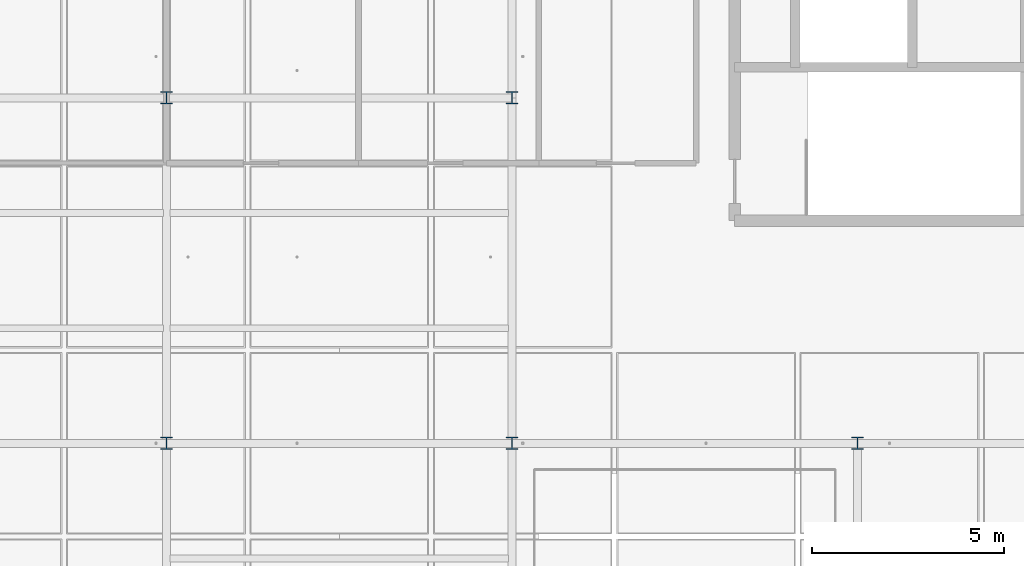
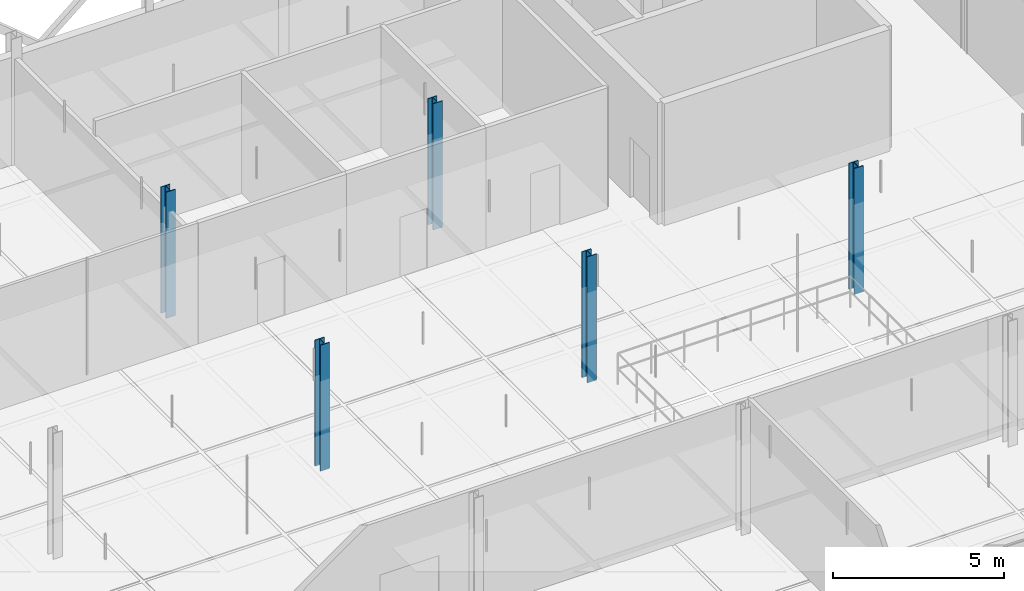
# One storey, part 6 of 66: 5 columns.
"""IFC4 building model written with IfcOpenShell, lengths in metres."""

from ifc_helpers import new_model, si_unit, direction, frame, origin, origin_2d, place, context, subcontext, project, spatial, i_section, extrude, material, material_profile, profile_set, type_object, element, save


model = new_model("IFC4")

# Units and contexts
model_context = context("Model", 3, precision=1e-05, world=origin(), true_north=direction((0.0, 1.0)))
body_context = subcontext(model_context, "Body", "Model", "MODEL_VIEW")
ifc_project = project(units=[si_unit("LENGTHUNIT", "METRE"), si_unit("AREAUNIT", "SQUARE_METRE"), si_unit("VOLUMEUNIT", "CUBIC_METRE"), si_unit("PLANEANGLEUNIT", "RADIAN"), si_unit("MASSUNIT", "GRAM", prefix="KILO"), si_unit("THERMODYNAMICTEMPERATUREUNIT", "KELVIN"), si_unit("POWERUNIT", "WATT")], contexts=[model_context])

# Site, building, storey
site_placement = place(None, origin())
site = spatial("IfcSite", under=ifc_project, at=site_placement, CompositionType="ELEMENT")
building_placement = place(site_placement, origin())
building = spatial("IfcBuilding", under=site, at=building_placement, Name="Tallowbark Science Centre", CompositionType="ELEMENT")
storey_placement = place(building_placement, frame((0.0, 0.0, 18.89990234375)))
storey = spatial("IfcBuildingStorey", under=building, at=storey_placement, Name="L04", CompositionType="ELEMENT", Elevation=18.89990234375)

# Columns
ifc_material = material(Name="Structural Steel Grade 300PLUS (300 MPa)", Category="steel")
ifc_material_profile = material_profile(ifc_material, i_section(OverallWidth=0.311279296875, OverallDepth=0.3271484375, WebThickness=0.015625, FlangeThickness=0.02490234375, FilletRadius=0.0166015625, at=origin_2d()), Name="310UC158")
ifc_profile_set = profile_set([ifc_material_profile], Name="Structural Steel Grade 300PLUS (300 MPa)")
column_type = type_object("IfcColumnType", Name="COL-UC310A", PredefinedType="COLUMN", material=ifc_profile_set)
for number, where, z_axis, x_axis, name in (
    (1, (76.5, 22.5, 0.0), (0.0, 0.0, 1.0), (1.0, 0.0, 0.0), "Column CUB-M2_2 L04"),
    (2, (76.5, 31.5, 0.0), (0.0, 0.0, 1.0), (1.0, 0.0, 0.0), "Column CUB-M2_3 L04"),
    (3, (85.5, 22.5, 0.0), (0.0, 0.0, 1.0), (1.0, 0.0, 0.0), "Column CUB-M3_2 L04"),
    (4, (85.5, 31.5, 0.0), (0.0, 0.0, 1.0), (1.0, 0.0, 0.0), "Column CUB-M3_3 L04"),
    (5, (94.5, 22.5, 0.0), (0.0, 0.0, 1.0), (1.0, 0.0, 0.0), "Column CUB-M4_2 L04"),
):
    element("IfcColumn", number, at=place(storey_placement, frame(where, z_axis=z_axis, x_axis=x_axis)), inside=storey, type_object=column_type, Name=name, PredefinedType="COLUMN", context=body_context, shape_type="SweptSolid", body=[
        extrude(i_section(OverallWidth=0.311279296875, OverallDepth=0.3271484375, WebThickness=0.015625, FlangeThickness=0.02490234375, FilletRadius=0.0166015625, at=origin_2d()), origin(), (0.0, 0.0, 1.0), 4.5),
    ])

save(model, "model.ifc")
